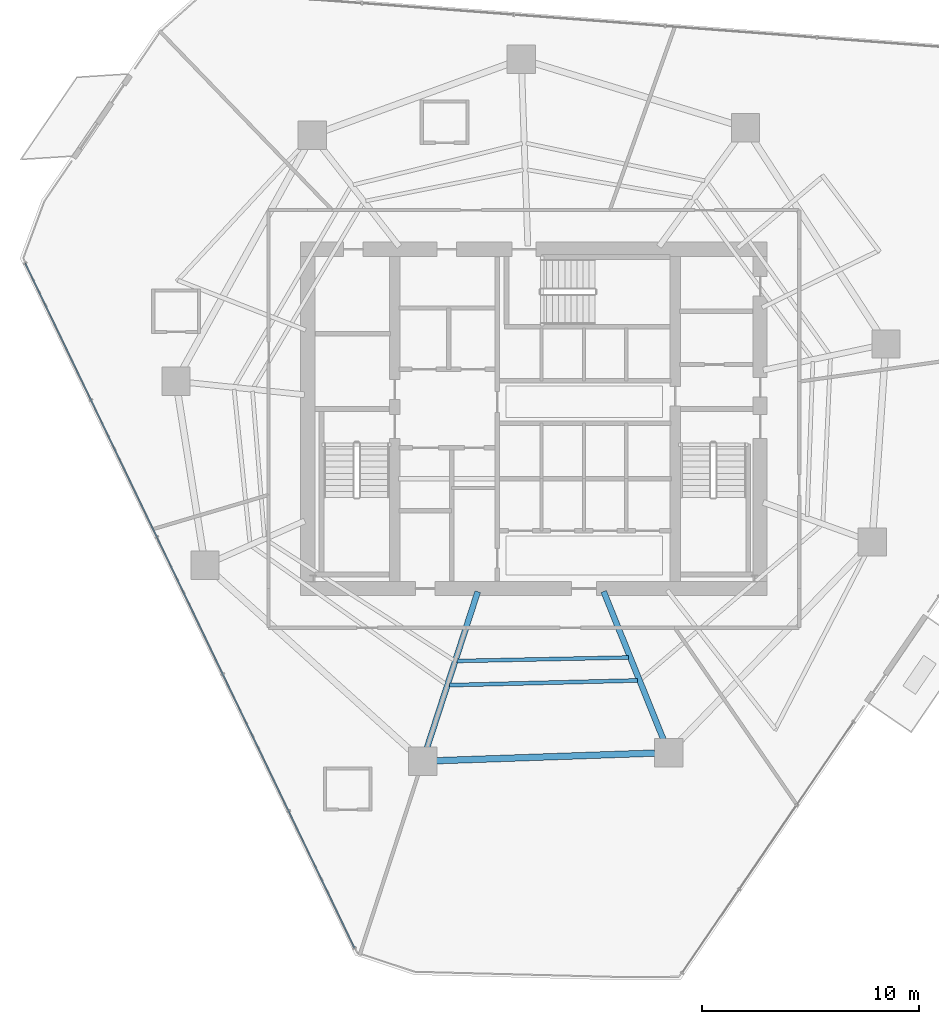
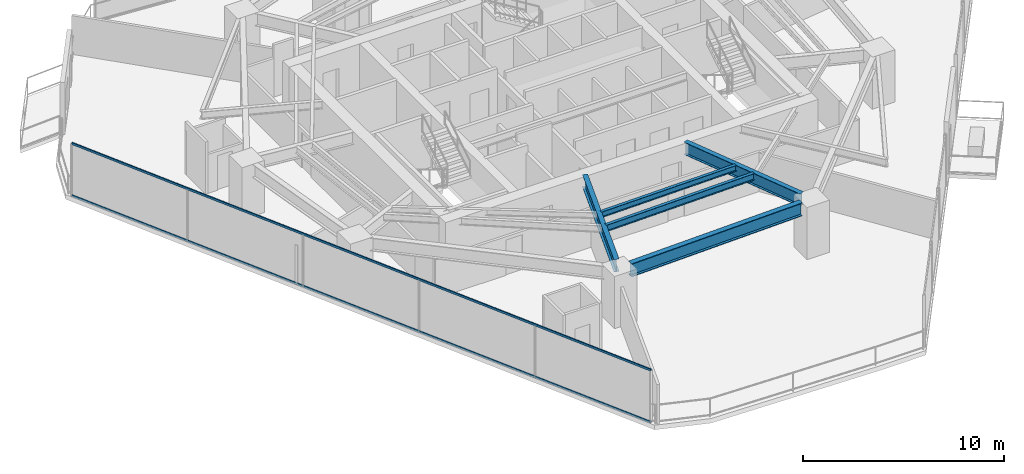
# One storey, part 6 of 30: 5 beams, 2 members, 1 element without a shape of its own.
"""IFC4 building model written with IfcOpenShell, lengths in metres."""

from ifc_helpers import new_model, si_unit, direction, frame, origin, origin_2d, place, context, subcontext, project, spatial, hollow_rectangle, i_section, extrude, material, layer, layer_set, material_profile, profile_set, type_object, element, aggregate, save


model = new_model("IFC4")

# Units and contexts
model_context = context("Model", 3, precision=1e-05, world=origin(), true_north=direction((0.0, 1.0)))
body_context = subcontext(model_context, "Body", "Model", "MODEL_VIEW")
ifc_project = project(units=[si_unit("LENGTHUNIT", "METRE"), si_unit("AREAUNIT", "SQUARE_METRE"), si_unit("VOLUMEUNIT", "CUBIC_METRE"), si_unit("PLANEANGLEUNIT", "RADIAN"), si_unit("MASSUNIT", "GRAM", prefix="KILO")], contexts=[model_context])

# Site, building, storey
site_placement = place(None, origin())
site = spatial("IfcSite", under=ifc_project, at=site_placement, CompositionType="ELEMENT")
building_placement = place(site_placement, origin())
building = spatial("IfcBuilding", under=site, at=building_placement, Name="Qarnah Convention Tower", CompositionType="ELEMENT")
storey_placement = place(building_placement, frame((0.0, 0.0, 51.14990234375)))
storey = spatial("IfcBuildingStorey", under=building, at=storey_placement, Name="L12", CompositionType="ELEMENT", Elevation=51.14990234375)

# Beams
ifc_material_1 = material(Name="Structural steel S355JR", Category="steel")
ifc_material_profile_1 = material_profile(ifc_material_1, i_section(OverallWidth=0.172119140625, OverallDepth=0.35595703125, WebThickness=0.007080078125, FlangeThickness=0.011962890625, at=origin_2d()), Name="W360X51")
ifc_profile_set_1 = profile_set([ifc_material_profile_1], Name="Structural steel S355JR")
beam_type_1 = type_object("IfcBeamType", Name="BM-JST-W360", PredefinedType="JOIST", material=ifc_profile_set_1)
beam_1_placement = place(storey_placement, frame((33.672119140625, 15.26708984375, 2.9921875), z_axis=(0.999788551821, 0.020563356906, 0.0), x_axis=(-0.020563356906, 0.999788551821, 0.0)))
element("IfcBeam", 1, at=beam_1_placement, inside=storey, type_object=beam_type_1, Name="L12 joist BM-L12-IJST-07", PredefinedType="JOIST", context=body_context, shape_type="SweptSolid", body=[
    extrude(i_section(OverallWidth=0.172119140625, OverallDepth=0.35595703125, WebThickness=0.007080078125, FlangeThickness=0.011962890625, at=origin_2d()), origin(), (0.0, 0.0, 1.0), 7.87158203125),
])
ifc_material_profile_2 = material_profile(ifc_material_1, i_section(OverallWidth=0.177978515625, OverallDepth=0.407958984375, WebThickness=0.008056640625, FlangeThickness=0.012939453125, at=origin_2d()), Name="W410X60")
ifc_profile_set_2 = profile_set([ifc_material_profile_2], Name="Structural steel S355JR")
beam_type_2 = type_object("IfcBeamType", Name="BM-JST-W410", PredefinedType="JOIST", material=ifc_profile_set_2)
beam_2_placement = place(storey_placement, frame((33.31103515625, 14.156005859375, 2.966064453125), z_axis=(0.99968593615, 0.025060508057, 0.0), x_axis=(-0.025060508057, 0.99968593615, 0.0)))
element("IfcBeam", 2, at=beam_2_placement, inside=storey, type_object=beam_type_2, Name="L12 joist BM-L12-SJST-07", PredefinedType="JOIST", context=body_context, shape_type="SweptSolid", body=[
    extrude(i_section(OverallWidth=0.177978515625, OverallDepth=0.407958984375, WebThickness=0.008056640625, FlangeThickness=0.012939453125, at=origin_2d()), origin(), (0.0, 0.0, 1.0), 8.66064453125),
])
ifc_material_profile_3 = material_profile(ifc_material_1, i_section(OverallWidth=0.26806640625, OverallDepth=0.760009765625, WebThickness=0.014892578125, FlangeThickness=0.02197265625, at=origin_2d()), Name="W760X185")
ifc_profile_set_3 = profile_set([ifc_material_profile_3], Name="Structural steel S355JR")
beam_type_3 = type_object("IfcBeamType", Name="BM-RAD-W760", PredefinedType="BEAM", material=ifc_profile_set_3)
beam_3_placement = place(storey_placement, frame((34.6201171875, 18.45703125, 2.7900390625), z_axis=(-0.309057625925, -0.951043313345, 0.0), x_axis=(0.951043313345, -0.309057625925, 0.0)))
element("IfcBeam", 3, at=beam_3_placement, inside=storey, type_object=beam_type_3, Name="L12 beam BM-L12-RAD-07", PredefinedType="BEAM", context=body_context, shape_type="SweptSolid", body=[
    extrude(i_section(OverallWidth=0.26806640625, OverallDepth=0.760009765625, WebThickness=0.014892578125, FlangeThickness=0.02197265625, at=origin_2d()), origin(), (0.0, 0.0, 1.0), 7.568603515625),
])
beam_4_placement = place(storey_placement, frame((40.407958984375, 18.4609375, 2.7900390625), z_axis=(0.374586487969, -0.927191977441, 0.0), x_axis=(0.927191977441, 0.374586487969, 0.0)))
element("IfcBeam", 4, at=beam_4_placement, inside=storey, type_object=beam_type_3, Name="L12 beam BM-L12-RAD-08", PredefinedType="BEAM", context=body_context, shape_type="SweptSolid", body=[
    extrude(i_section(OverallWidth=0.26806640625, OverallDepth=0.760009765625, WebThickness=0.014892578125, FlangeThickness=0.02197265625, at=origin_2d()), origin(), (0.0, 0.0, 1.0), 7.357666015625),
])
ifc_material_profile_4 = material_profile(ifc_material_1, i_section(OverallWidth=0.300048828125, OverallDepth=0.800048828125, WebThickness=0.01806640625, FlangeThickness=0.032958984375, at=origin_2d()), Name="HEB800")
ifc_profile_set_4 = profile_set([ifc_material_profile_4], Name="Structural steel S355JR")
beam_type_4 = type_object("IfcBeamType", Name="BM-RING-HEB800", PredefinedType="BEAM", material=ifc_profile_set_4)
beam_5_placement = place(storey_placement, frame((32.72607421875, 10.681884765625, 2.77001953125), z_axis=(0.999388457365, 0.034967288783, 0.0), x_axis=(-0.034967288783, 0.999388457365, 0.0)))
element("IfcBeam", 5, at=beam_5_placement, inside=storey, type_object=beam_type_4, Name="L12 beam BM-L12-SPN-07", PredefinedType="BEAM", context=body_context, shape_type="SweptSolid", body=[
    extrude(i_section(OverallWidth=0.300048828125, OverallDepth=0.800048828125, WebThickness=0.01806640625, FlangeThickness=0.032958984375, at=origin_2d()), origin(), (0.0, 0.0, 1.0), 10.0400390625),
])

# Curtain wall, members
ifc_material_2 = material(Name="Tempered Low-E dark glass", Category="glass")
ifc_layer = layer(ifc_material_2, 0.16796875)
ifc_layer_set = layer_set([ifc_layer], Name="Tempered Low-E dark glass")
curtain_wall_type = type_object("IfcCurtainWallType", Name="CWS-01", PredefinedType="NOTDEFINED", material=ifc_layer_set)
curtain_wall_placement = place(storey_placement, origin())
curtain_wall = element("IfcCurtainWall", 6, at=curtain_wall_placement, inside=storey, type_object=curtain_wall_type, Name="L12 unitised curtain wall CW-L12-F1", PredefinedType="NOTDEFINED")
ifc_material_3 = material(Name="Black anodised aluminium", Category="aluminium")
ifc_material_profile_5 = material_profile(ifc_material_3, hollow_rectangle(XDim=0.06005859375, YDim=0.1298828125, WallThickness=0.00390625, at=origin_2d()), Name="TRN-60X130")
ifc_profile_set_5 = profile_set([ifc_material_profile_5], Name="Black anodised aluminium")
member_type = type_object("IfcMemberType", Name="TRN-T1", PredefinedType="USERDEFINED", material=ifc_profile_set_5)
member_1_placement = place(storey_placement, frame((28.9580078125, 2.06201171875, 0.0), z_axis=(-0.433348109806, 0.901226617299, 0.0), x_axis=(-0.901226617299, -0.433348109806, 0.0)))
member_1 = element("IfcMember", 7, at=member_1_placement, type_object=member_type, Name="CW-L12-F1 transom 1", ObjectType="TRANSOM", PredefinedType="USERDEFINED", context=body_context, shape_type="SweptSolid", body=[
    extrude(hollow_rectangle(XDim=0.06005859375, YDim=0.1298828125, WallThickness=0.00390625, at=origin_2d()), origin(), (0.0, 0.0, 1.0), 34.95556640625),
])
member_2_placement = place(storey_placement, frame((28.9580078125, 2.06201171875, 3.170166015625), z_axis=(-0.433348109806, 0.901226617299, 0.0), x_axis=(-0.901226617299, -0.433348109806, 0.0)))
member_2 = element("IfcMember", 8, at=member_2_placement, type_object=member_type, Name="CW-L12-F1 transom 2", ObjectType="TRANSOM", PredefinedType="USERDEFINED", context=body_context, shape_type="SweptSolid", body=[
    extrude(hollow_rectangle(XDim=0.06005859375, YDim=0.1298828125, WallThickness=0.00390625, at=origin_2d()), origin(), (0.0, 0.0, 1.0), 34.95556640625),
])
aggregate(curtain_wall, [member_1, member_2])

save(model, "model.ifc")
